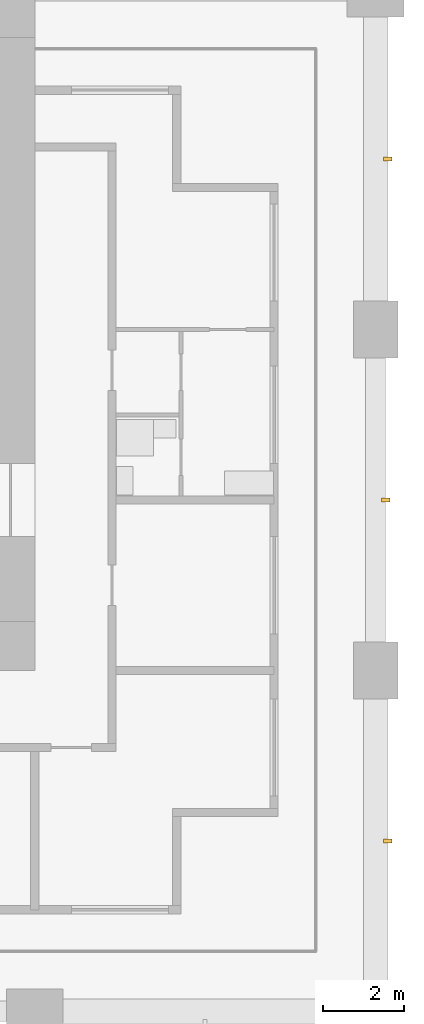
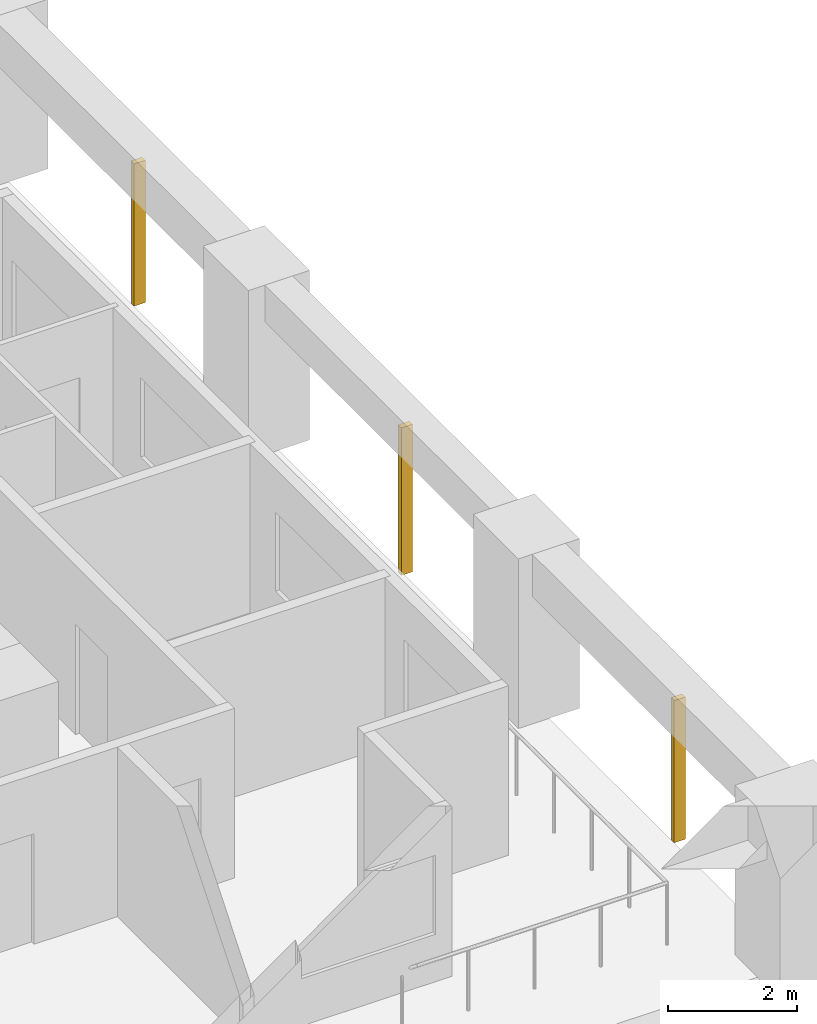
# One storey, part 18 of 19: 3 shading devices.
"""IFC4 building model written with IfcOpenShell, lengths in metres."""

from ifc_helpers import new_model, si_unit, direction, frame, origin, origin_2d, place, context, subcontext, project, spatial, rectangle, extrude, material, material_profile, profile_set, type_object, element, save


model = new_model("IFC4")

# Units and contexts
model_context = context("Model", 3, precision=1e-05, world=origin(), true_north=direction((0.0, 1.0)))
body_context = subcontext(model_context, "Body", "Model", "MODEL_VIEW")
ifc_project = project(units=[si_unit("LENGTHUNIT", "METRE"), si_unit("AREAUNIT", "SQUARE_METRE"), si_unit("VOLUMEUNIT", "CUBIC_METRE"), si_unit("PLANEANGLEUNIT", "RADIAN"), si_unit("MASSUNIT", "GRAM", prefix="KILO")], contexts=[model_context])

# Site, building, storey
site_placement = place(None, origin())
site = spatial("IfcSite", under=ifc_project, at=site_placement, CompositionType="ELEMENT")
building_placement = place(site_placement, origin())
building = spatial("IfcBuilding", under=site, at=building_placement, Name="Vermilion Gate Residences", CompositionType="ELEMENT")
storey_placement = place(building_placement, frame((0.0, 0.0, 46.199951171875)))
storey = spatial("IfcBuildingStorey", under=building, at=storey_placement, Name="L10", CompositionType="ELEMENT", Elevation=46.199951171875)

# Shading devices
ifc_material = material(Name="Extruded terracotta", Category="masonry")
ifc_material_profile = material_profile(ifc_material, rectangle(XDim=0.199951171875, YDim=0.10009765625, at=origin_2d()), Name="BAGUETTE 100 X 200")
ifc_profile_set = profile_set([ifc_material_profile], Name="Extruded terracotta")
shading_device_type = type_object("IfcShadingDeviceType", Name="TERRACOTTA BAGUETTE 100 X 200", PredefinedType="JALOUSIE", material=ifc_profile_set)
shading_device_1_placement = place(storey_placement, frame((67.5, 4.199951171875, -0.280029296875), z_axis=(0.0, 0.0, 1.0), x_axis=(-1.0, 0.0, 0.0)))
element("IfcShadingDevice", 1, at=shading_device_1_placement, inside=storey, type_object=shading_device_type, Name="BAGUETTE", PredefinedType="JALOUSIE", context=body_context, shape_type="SweptSolid", body=[
    extrude(rectangle(XDim=0.199951171875, YDim=0.10009765625, at=origin_2d()), origin(), (0.0, 0.0, 1.0), 2.7001953125),
])
shading_device_2_placement = place(storey_placement, frame((67.449951171875, 12.60009765625, -0.280029296875), z_axis=(0.0, 0.0, 1.0), x_axis=(-1.0, 0.0, 0.0)))
element("IfcShadingDevice", 2, at=shading_device_2_placement, inside=storey, type_object=shading_device_type, Name="BAGUETTE", PredefinedType="JALOUSIE", context=body_context, shape_type="SweptSolid", body=[
    extrude(rectangle(XDim=0.199951171875, YDim=0.10009765625, at=origin_2d()), origin(), (0.0, 0.0, 1.0), 2.800048828125),
])
shading_device_3_placement = place(storey_placement, frame((67.5, 21.0, -0.280029296875), z_axis=(0.0, 0.0, 1.0), x_axis=(-1.0, 0.0, 0.0)))
element("IfcShadingDevice", 3, at=shading_device_3_placement, inside=storey, type_object=shading_device_type, Name="BAGUETTE", PredefinedType="JALOUSIE", context=body_context, shape_type="SweptSolid", body=[
    extrude(rectangle(XDim=0.199951171875, YDim=0.10009765625, at=origin_2d()), origin(), (0.0, 0.0, 1.0), 2.7001953125),
])

save(model, "model.ifc")
